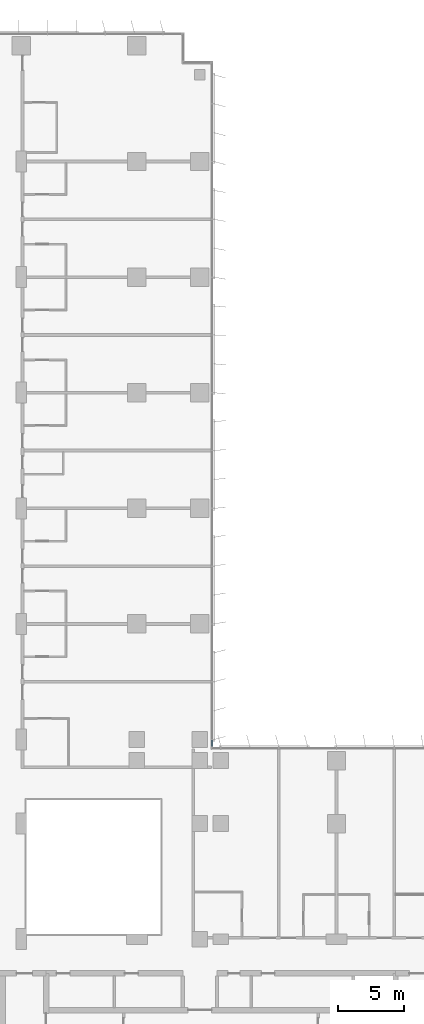
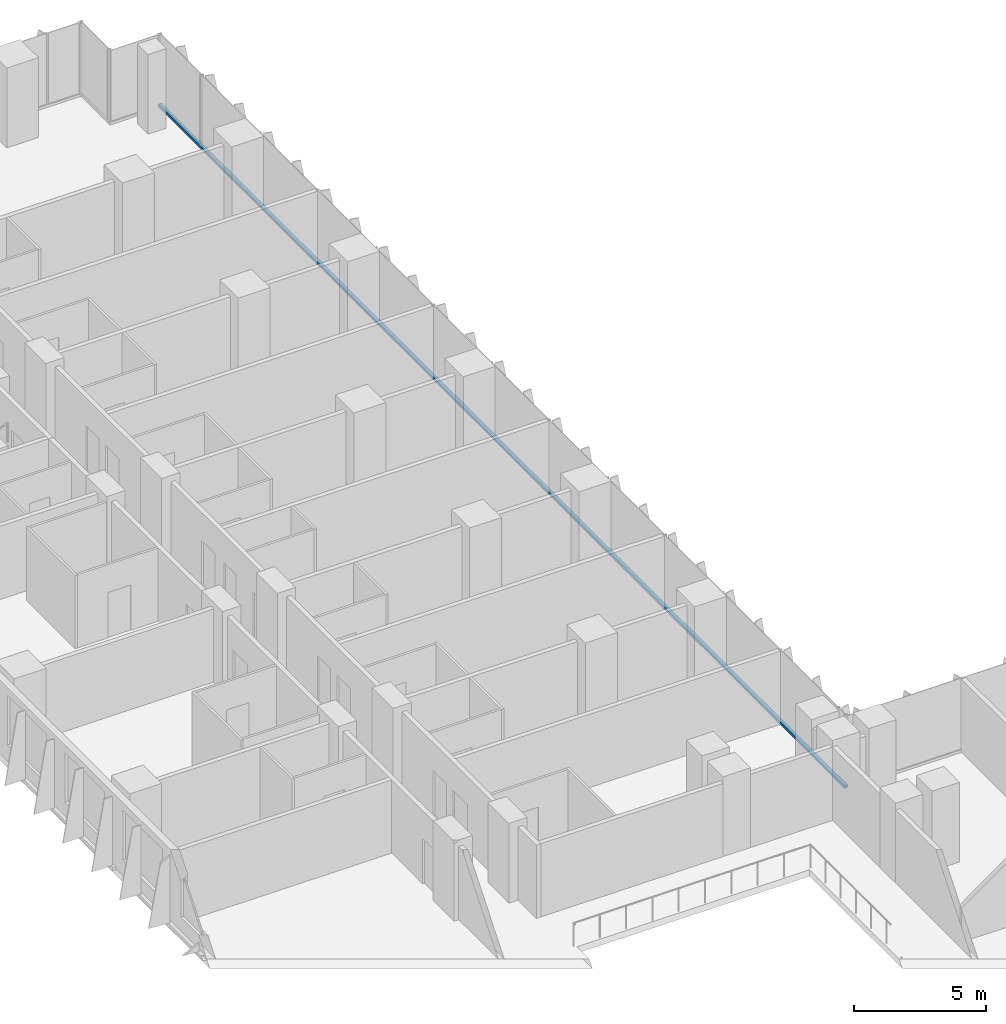
# One storey, part 6 of 24: 1 member, 1 element without a shape of its own.
"""IFC4 building model written with IfcOpenShell, lengths in metres."""

from ifc_helpers import new_model, si_unit, direction, frame, origin, origin_2d, place, context, subcontext, project, spatial, rectangle, extrude, material, material_profile, profile_set, type_object, element, aggregate, save


model = new_model("IFC4")

# Units and contexts
model_context = context("Model", 3, precision=1e-05, world=origin(), true_north=direction((0.0, 1.0)))
body_context = subcontext(model_context, "Body", "Model", "MODEL_VIEW")
ifc_project = project(units=[si_unit("LENGTHUNIT", "METRE"), si_unit("AREAUNIT", "SQUARE_METRE"), si_unit("VOLUMEUNIT", "CUBIC_METRE"), si_unit("PLANEANGLEUNIT", "RADIAN"), si_unit("MASSUNIT", "GRAM", prefix="KILO")], contexts=[model_context])

# Site, building, storey
site_placement = place(None, origin())
site = spatial("IfcSite", under=ifc_project, at=site_placement, CompositionType="ELEMENT")
building_placement = place(site_placement, origin())
building = spatial("IfcBuilding", under=site, at=building_placement, Name="Kemantara Hotel Tower", CompositionType="ELEMENT")
storey_placement = place(building_placement, frame((0.0, 0.0, 59.89990234375)))
storey = spatial("IfcBuildingStorey", under=building, at=storey_placement, Name="L13", CompositionType="ELEMENT", Elevation=59.89990234375)

# Curtain wall, member
ifc_material_1 = material(Name="Low-E tinted double insulated glass 36 mm", Category="glass")
curtain_wall_type = type_object("IfcCurtainWallType", Name="TOWER CURTAIN WALL, FRONT FACES", PredefinedType="USERDEFINED", material=ifc_material_1)
curtain_wall_placement = place(storey_placement, origin())
curtain_wall = element("IfcCurtainWall", 1, at=curtain_wall_placement, inside=storey, type_object=curtain_wall_type, Name="CW4 L13 T1-R08-1", ObjectType="TOWER CURTAIN WALL, FRONT FACES", PredefinedType="USERDEFINED")
ifc_material_2 = material(Name="Aluminium 6063-T6 bronze anodised", Category="aluminium")
ifc_material_profile = material_profile(ifc_material_2, rectangle(XDim=0.14990234375, YDim=0.1201171875, at=origin_2d()), Name="TOWER CURTAIN WALL, FRONT FACES TRANSOM")
ifc_profile_set = profile_set([ifc_material_profile], Name="Aluminium 6063-T6 bronze anodised")
member_type = type_object("IfcMemberType", Name="TOWER CURTAIN WALL, FRONT FACES TRANSOM", PredefinedType="USERDEFINED", material=ifc_profile_set)
member_placement = place(storey_placement, frame((26.72509765625, 26.800048828125, 0.06005859375), z_axis=(0.0, 1.0, 0.0), x_axis=(-1.0, 0.0, 0.0)))
member = element("IfcMember", 2, at=member_placement, type_object=member_type, Name="CW4 sill transom T1-R08-1", ObjectType="TRANSOM", PredefinedType="USERDEFINED", context=body_context, shape_type="SweptSolid", body=[
    extrude(rectangle(XDim=0.14990234375, YDim=0.1201171875, at=origin_2d()), origin(), (0.0, 0.0, 1.0), 52.199951171875),
])
aggregate(curtain_wall, [member])

save(model, "model.ifc")
